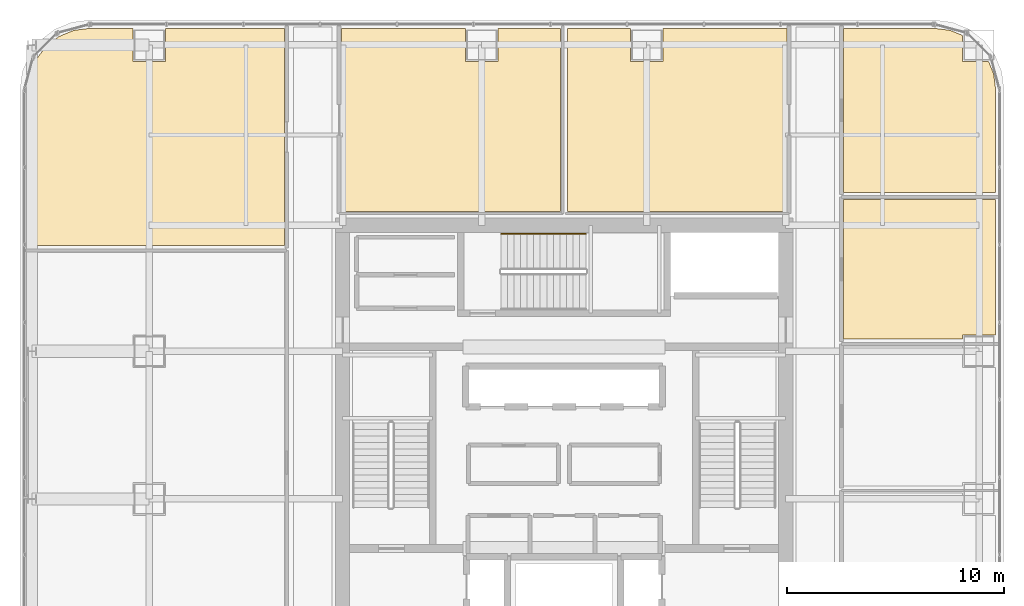
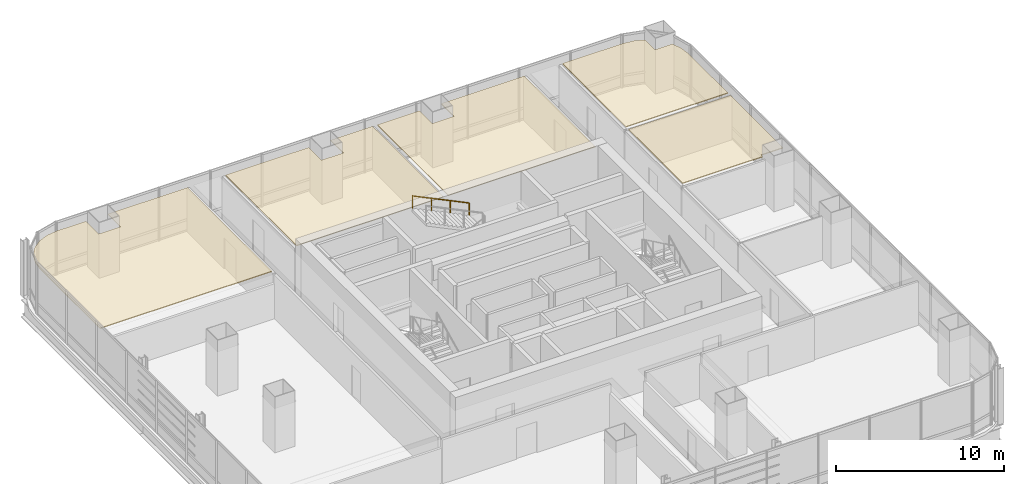
# One storey, part 37 of 37: 5 coverings, 1 railing.
"""IFC4 building model written with IfcOpenShell, lengths in metres."""

import ifcopenshell
import ifcopenshell.guid

model = None  # the IFC model being written
_history = None  # IfcOwnerHistory: only IFC2X3 demands one
_inside = {}  # id of a spatial element -> (the spatial element, [elements in it])
_under = {}  # id of a project, library or spatial element -> (it, [spatial elements below it])
_declared = {}  # id of a project -> (the project, [libraries it declares])
_typed = {}  # id of a type object -> (the type object, [elements of that type])
_made_of = {}  # id of a material, layer set ... -> (it, [elements and type objects made of it])


def new_model(schema):
    """Start an empty IFC model of exactly this schema.

    Asked for "IFC4X3", IfcOpenShell would pick the latest addendum, in which some entities
    have other attributes; the version numbers below select the first issue.
    IFC2X3 requires an IfcOwnerHistory on every rooted entity: one is made here for all.
    """
    global model, _history
    if schema == "IFC4X3":
        model = ifcopenshell.file(schema_version=(4, 3, 0, 0))
    else:
        model = ifcopenshell.file(schema=schema)
    _inside.clear()
    _under.clear()
    _declared.clear()
    _typed.clear()
    _made_of.clear()
    _history = None
    if model.schema == "IFC2X3":
        org = make("IfcOrganization", Name="unknown")
        user = make(
            "IfcPersonAndOrganization",
            ThePerson=make("IfcPerson", FamilyName="unknown"),
            TheOrganization=org,
        )
        app = make(
            "IfcApplication",
            ApplicationDeveloper=org,
            Version="unknown",
            ApplicationFullName="unknown",
            ApplicationIdentifier="unknown",
        )
        _history = make(
            "IfcOwnerHistory",
            OwningUser=user,
            OwningApplication=app,
            ChangeAction="ADDED",
            CreationDate=0,
        )
    return model


def make(cls, **values):
    """One entity of the class cls with the attributes given. An attribute that is None is left unset."""
    return model.create_entity(
        cls, **{name: value for name, value in values.items() if value is not None}
    )


def rooted(cls, **values):
    """An entity with a GlobalId (a new one), such as an element, a storey or a relation."""
    return make(cls, GlobalId=ifcopenshell.guid.new(), OwnerHistory=_history, **values)


def si_unit(unit_type, name, prefix=None):
    """IfcSIUnit, for example si_unit("LENGTHUNIT", "METRE", prefix="MILLI")."""
    return make("IfcSIUnit", UnitType=unit_type, Prefix=prefix, Name=name)


def assignment(units):
    """IfcUnitAssignment: the units of a project."""
    return None if units is None else make("IfcUnitAssignment", Units=units)


def point(xyz):
    """IfcCartesianPoint."""
    return None if xyz is None else make("IfcCartesianPoint", Coordinates=xyz)


def direction(xyz):
    """IfcDirection."""
    return None if xyz is None else make("IfcDirection", DirectionRatios=xyz)


def frame(location, z_axis=None, x_axis=None):
    """IfcAxis2Placement3D, a coordinate frame: its origin and axes. An axis left out is left unset."""
    return make(
        "IfcAxis2Placement3D",
        Location=point(location),
        Axis=direction(z_axis),
        RefDirection=direction(x_axis),
    )


def frame_2d(location, x_axis=None):
    """IfcAxis2Placement2D, a coordinate frame in the plane: its origin and x axis."""
    return make(
        "IfcAxis2Placement2D", Location=point(location), RefDirection=direction(x_axis)
    )


def origin():
    """The frame at (0, 0, 0) with its axes left unset."""
    return frame((0.0, 0.0, 0.0))


def origin_2d():
    """The frame at (0, 0) in the plane with its x axis left unset."""
    return frame_2d((0.0, 0.0))


def place(relative_to, where):
    """IfcLocalPlacement: puts the frame where relative to a parent placement (None: the world)."""
    return make(
        "IfcLocalPlacement", PlacementRelTo=relative_to, RelativePlacement=where
    )


def context(
    kind, dimensions, precision=None, world=None, true_north=None, identifier=None
):
    """IfcGeometricRepresentationContext, for example the 3D "Model" context."""
    return make(
        "IfcGeometricRepresentationContext",
        ContextIdentifier=identifier,
        ContextType=kind,
        CoordinateSpaceDimension=dimensions,
        Precision=precision,
        WorldCoordinateSystem=world,
        TrueNorth=true_north,
    )


def subcontext(parent, identifier, kind, view, scale=None):
    """IfcGeometricRepresentationSubContext, for example "Body" below "Model"."""
    return make(
        "IfcGeometricRepresentationSubContext",
        ContextIdentifier=identifier,
        ContextType=kind,
        ParentContext=parent,
        TargetScale=scale,
        TargetView=view,
    )


def project(units=None, contexts=None):
    """IfcProject with its units and contexts."""
    return rooted(
        "IfcProject",
        Name="project",
        RepresentationContexts=contexts,
        UnitsInContext=assignment(units),
    )


def spatial(cls, under=None, at=None, **own):
    """A site, building, storey or space (cls), placed at a placement, below another one or the project."""
    s = rooted(cls, ObjectPlacement=at, **own)
    if under is not None:
        _under.setdefault(under.id(), (under, []))[1].append(s)
    return s


def polyline(points):
    """IfcPolyline through the points."""
    return make("IfcPolyline", Points=[point(p) for p in points])


def profile(cls, at=None, kind="AREA", **sizes):
    """A parametric profile (cls). Its sizes go by their IFC names, for example OverallWidth=200.0."""
    return make(cls, ProfileType=kind, Position=at, **sizes)


def circle(**sizes):
    """IfcCircleProfileDef."""
    return profile("IfcCircleProfileDef", **sizes)


def outline(outer, holes=None, kind="AREA"):
    """IfcArbitraryClosedProfileDef: a profile drawn as a closed curve; with holes, ...WithVoids."""
    if holes is None:
        return make("IfcArbitraryClosedProfileDef", ProfileType=kind, OuterCurve=outer)
    return make(
        "IfcArbitraryProfileDefWithVoids",
        ProfileType=kind,
        OuterCurve=outer,
        InnerCurves=holes,
    )


def extrude(swept, where, along, depth):
    """IfcExtrudedAreaSolid: the profile swept, set in the frame where, extruded along a direction by depth."""
    return make(
        "IfcExtrudedAreaSolid",
        SweptArea=swept,
        Position=where,
        ExtrudedDirection=direction(along),
        Depth=depth,
    )


def shape(context_of_items, identifier, shape_type, items):
    """IfcShapeRepresentation: the items that make up one representation, for example the "Body"."""
    return make(
        "IfcShapeRepresentation",
        ContextOfItems=context_of_items,
        RepresentationIdentifier=identifier,
        RepresentationType=shape_type,
        Items=items,
    )


def material(Name=None, Category=None):
    """IfcMaterial."""
    return make("IfcMaterial", Name=Name, Category=Category)


def layer(
    of_material, thickness, ventilated=None, Name=None, Category=None, Priority=None
):
    """IfcMaterialLayer: one layer of a wall or slab, of a material (None: an air gap)."""
    return make(
        "IfcMaterialLayer",
        Material=of_material,
        LayerThickness=thickness,
        IsVentilated=ventilated,
        Name=Name,
        Category=Category,
        Priority=Priority,
    )


def layer_set(layers, Name=None):
    """IfcMaterialLayerSet."""
    return make("IfcMaterialLayerSet", MaterialLayers=layers, LayerSetName=Name)


def made_of(thing, what):
    """Note that an element or type object is made of a material, layer set ...; save() writes the relation."""
    if what is not None:
        _made_of.setdefault(what.id(), (what, []))[1].append(thing)
    return thing


def type_object(cls, material=None, **own):
    """A type object (cls), such as IfcWallType, which elements share."""
    return made_of(rooted(cls, **own), material)


def element(
    cls,
    number,
    at=None,
    inside=None,
    cuts=None,
    type_object=None,
    material=None,
    context=None,
    identifier="Body",
    shape_type=None,
    held_by="IfcProductDefinitionShape",
    body=None,
    shapes=None,
    **own,
):
    """One element of the class cls, such as IfcWall. Its Tag is "e" and its number.

    at: its placement. inside: the storey or other place that contains it. cuts: it is an
    opening in that element (IfcRelVoidsElement). A single representation is given by context,
    identifier, shape_type and body (its items); several are given by shapes. held_by: the class
    of the entity that holds the representations. save() writes the other relations.
    """
    e = rooted(cls, Tag="e%d" % number, ObjectPlacement=at, **own)
    if body is not None:
        shapes = [shape(context, identifier, shape_type, body)]
    if shapes is not None:
        e.Representation = make(held_by, Representations=shapes)
    if inside is not None:
        _inside.setdefault(inside.id(), (inside, []))[1].append(e)
    if cuts is not None:
        rooted(
            "IfcRelVoidsElement", RelatingBuildingElement=cuts, RelatedOpeningElement=e
        )
    if type_object is not None:
        _typed.setdefault(type_object.id(), (type_object, []))[1].append(e)
    return made_of(e, material)


def aggregate(whole, parts):
    """IfcRelAggregates: a whole, such as a stair, and the parts it consists of."""
    return rooted("IfcRelAggregates", RelatingObject=whole, RelatedObjects=parts)


def save(model, path):
    """Write the relations noted so far, then the file.

    IfcRelAggregates (storeys below a building ...), IfcRelContainedInSpatialStructure (elements
    in a storey), IfcRelDefinesByType, IfcRelAssociatesMaterial and IfcRelDeclares: one each for
    every whole, place, type object, material and project.
    """
    for whole, parts in _under.values():
        aggregate(whole, parts)
    for where, things in _inside.values():
        rooted(
            "IfcRelContainedInSpatialStructure",
            RelatedElements=things,
            RelatingStructure=where,
        )
    for kind, things in _typed.values():
        rooted("IfcRelDefinesByType", RelatedObjects=things, RelatingType=kind)
    for what, things in _made_of.values():
        rooted("IfcRelAssociatesMaterial", RelatedObjects=things, RelatingMaterial=what)
    for by, libraries in _declared.values():
        rooted("IfcRelDeclares", RelatingContext=by, RelatedDefinitions=libraries)
    model.write(path)


model = new_model("IFC4")

# Units and contexts
model_context = context("Model", 3, precision=1e-05, world=origin(), true_north=direction((0.0, 1.0)))
body_context = subcontext(model_context, "Body", "Model", "MODEL_VIEW")
ifc_project = project(units=[si_unit("LENGTHUNIT", "METRE"), si_unit("AREAUNIT", "SQUARE_METRE"), si_unit("VOLUMEUNIT", "CUBIC_METRE"), si_unit("PLANEANGLEUNIT", "RADIAN"), si_unit("MASSUNIT", "GRAM", prefix="KILO")], contexts=[model_context])

# Site, building, storey
site_placement = place(None, origin())
site = spatial("IfcSite", under=ifc_project, at=site_placement, CompositionType="ELEMENT")
building_placement = place(site_placement, origin())
building = spatial("IfcBuilding", under=site, at=building_placement, Name="Punatoya Terracotta Tower", CompositionType="ELEMENT")
storey_placement = place(building_placement, frame((0.0, 0.0, 192.449951171875)))
storey = spatial("IfcBuildingStorey", under=building, at=storey_placement, Name="L45", CompositionType="ELEMENT", Elevation=192.449951171875)

# Coverings
ifc_material_1 = material(Name="Acoustic Mineral Fibre Ceiling")
ifc_layer = layer(ifc_material_1, 0.06005859375)
ifc_layer_set = layer_set([ifc_layer], Name="Acoustic Mineral Fibre Ceiling")
covering_type = type_object("IfcCoveringType", Name="COV-CEIL-60", PredefinedType="CEILING", material=ifc_layer_set)
covering_1_placement = place(storey_placement, frame((0.0, 0.0, 3.219970703125)))
element("IfcCovering", 1, at=covering_1_placement, inside=storey, type_object=covering_type, Name="L45 Wellness Focus Room Acoustic Ceiling", PredefinedType="CEILING", context=body_context, shape_type="SweptSolid", body=[
    extrude(outline(polyline([(18.35009765625, 3.9599609375), (18.35009765625, 4.14990234375), (19.8701171875, 4.14990234375), (19.8701171875, 10.39404296875), (12.8701171875, 10.39404296875), (12.8701171875, 3.9599609375), (18.35009765625, 3.9599609375)])), origin(), (0.0, 0.0, 1.0), 0.06005859375),
])
covering_2_placement = place(storey_placement, frame((0.0, 0.0, 3.219970703125)))
element("IfcCovering", 2, at=covering_2_placement, inside=storey, type_object=covering_type, Name="L45 Open-Plan Case-Study Classroom Acoustic Ceiling", PredefinedType="CEILING", context=body_context, shape_type="SweptSolid", body=[
    extrude(outline(polyline([(-24.669921875, 15.425048828125), (-24.669921875, 8.258056640625), (-12.8701171875, 8.258056640625), (-12.8701171875, 18.27001953125), (-18.35009765625, 18.27001953125), (-18.35009765625, 16.75), (-19.85009765625, 16.75), (-19.85009765625, 18.27001953125), (-21.8251953125, 18.27001953125), (-22.5791015625, 18.1708984375), (-23.25830078125, 17.889404296875), (-23.841796875, 17.441650390625), (-24.289306640625, 16.8583984375), (-24.57080078125, 16.178955078125), (-24.669921875, 15.425048828125)])), origin(), (0.0, 0.0, 1.0), 0.06005859375),
])
covering_3_placement = place(storey_placement, frame((0.0, 0.0, 3.219970703125)))
element("IfcCovering", 3, at=covering_3_placement, inside=storey, type_object=covering_type, Name="L45 Open-Plan Symposium Colloquium Room Acoustic Ceiling", PredefinedType="CEILING", context=body_context, shape_type="SweptSolid", body=[
    extrude(outline(polyline([(-10.260009765625, 18.27001953125), (-10.260009765625, 9.840087890625), (-0.159912109375, 9.840087890625), (-0.159912109375, 18.27001953125), (-3.050048828125, 18.27001953125), (-3.050048828125, 16.75), (-4.550048828125, 16.75), (-4.550048828125, 18.27001953125), (-10.260009765625, 18.27001953125)])), origin(), (0.0, 0.0, 1.0), 0.06005859375),
])
covering_4_placement = place(storey_placement, frame((0.0, 0.0, 3.219970703125)))
element("IfcCovering", 4, at=covering_4_placement, inside=storey, type_object=covering_type, Name="L45 Open-Plan Roundtable Conference Room Acoustic Ceiling", PredefinedType="CEILING", context=body_context, shape_type="SweptSolid", body=[
    extrude(outline(polyline([(3.050048828125, 18.27001953125), (0.159912109375, 18.27001953125), (0.159912109375, 9.840087890625), (10.260009765625, 9.840087890625), (10.260009765625, 18.27001953125), (4.550048828125, 18.27001953125), (4.550048828125, 16.75), (3.050048828125, 16.75), (3.050048828125, 18.27001953125)])), origin(), (0.0, 0.0, 1.0), 0.06005859375),
])
covering_5_placement = place(storey_placement, frame((0.0, 0.0, 3.219970703125)))
element("IfcCovering", 5, at=covering_5_placement, inside=storey, type_object=covering_type, Name="L45 Open-Plan Translation Conference Room Acoustic Ceiling", PredefinedType="CEILING", context=body_context, shape_type="SweptSolid", body=[
    extrude(outline(polyline([(17.779052734375, 18.1708984375), (17.025146484375, 18.27001953125), (12.8701171875, 18.27001953125), (12.8701171875, 10.714111328125), (19.8701171875, 10.714111328125), (19.8701171875, 15.425048828125), (19.770751953125, 16.178955078125), (19.5341796875, 16.75), (18.35009765625, 16.75), (18.35009765625, 17.934326171875), (17.779052734375, 18.1708984375)])), origin(), (0.0, 0.0, 1.0), 0.06005859375),
])

# Railing
ifc_material_2 = material(Name="Steel S355", Category="steel")
railing_type = type_object("IfcRailingType", Name="RLG-HND-900", PredefinedType="HANDRAIL", material=ifc_material_2)
railing_placement = place(storey_placement, frame((1.0, 8.800048828125, 2.169677734375)))
element("IfcRailing", 6, at=railing_placement, inside=storey, type_object=railing_type, Name="L45 ST-3 stair handrail 2", PredefinedType="HANDRAIL", context=body_context, shape_type="SweptSolid", body=[
    extrude(circle(Radius=0.02392578125, at=origin_2d()), frame((0.0, 0.0, 0.8759765625), z_axis=(-0.900763166376, 0.0, 0.434310623978), x_axis=(0.0, -1.0, 0.0)), (0.0, 0.0, 1.0), 4.32958984375),
    extrude(circle(Radius=0.02099609375, at=origin_2d()), origin(), (0.0, 0.0, 1.0), 0.851806640625),
    extrude(circle(Radius=0.02099609375, at=origin_2d()), frame((-1.300048828125, 0.0, 0.626708984375)), (0.0, 0.0, 1.0), 0.851806640625),
    extrude(circle(Radius=0.02099609375, at=origin_2d()), frame((-2.599853515625, 0.0, 1.253662109375)), (0.0, 0.0, 1.0), 0.851806640625),
    extrude(circle(Radius=0.02099609375, at=origin_2d()), frame((-3.89990234375, 0.0, 1.88037109375)), (0.0, 0.0, 1.0), 0.851806640625),
])

save(model, "model.ifc")
